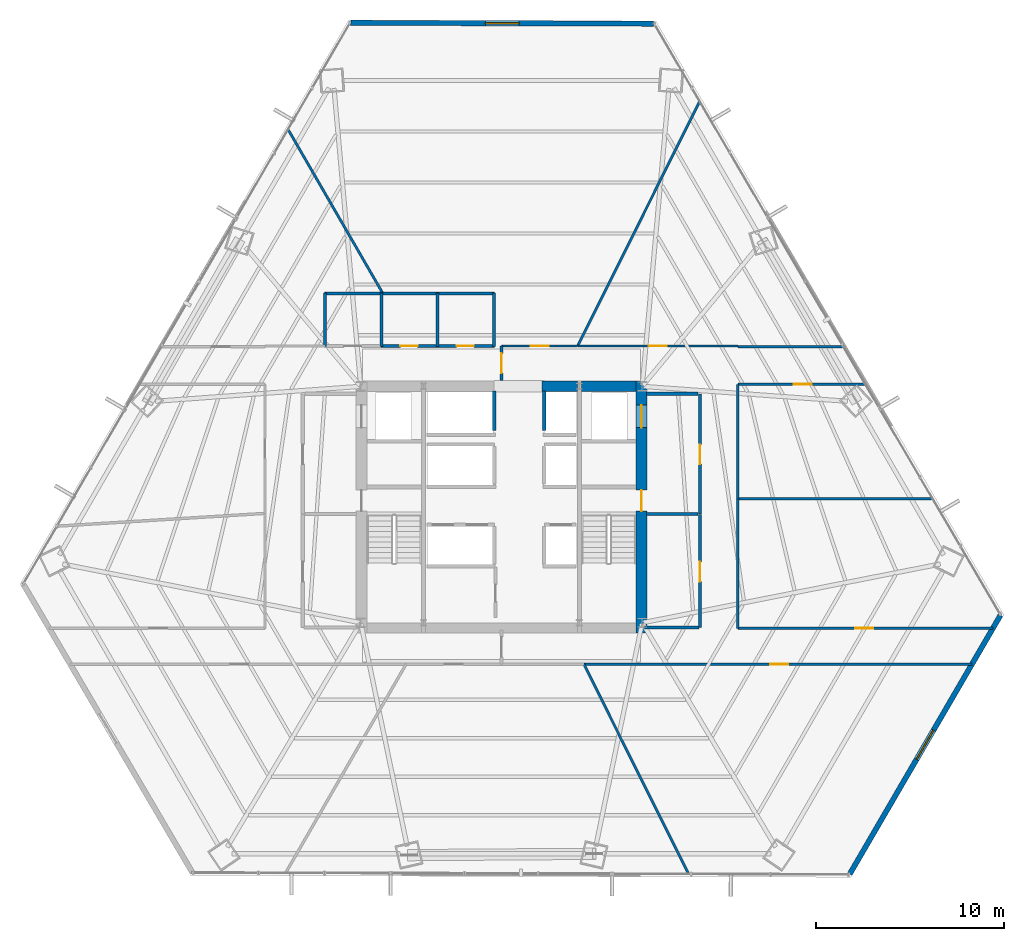
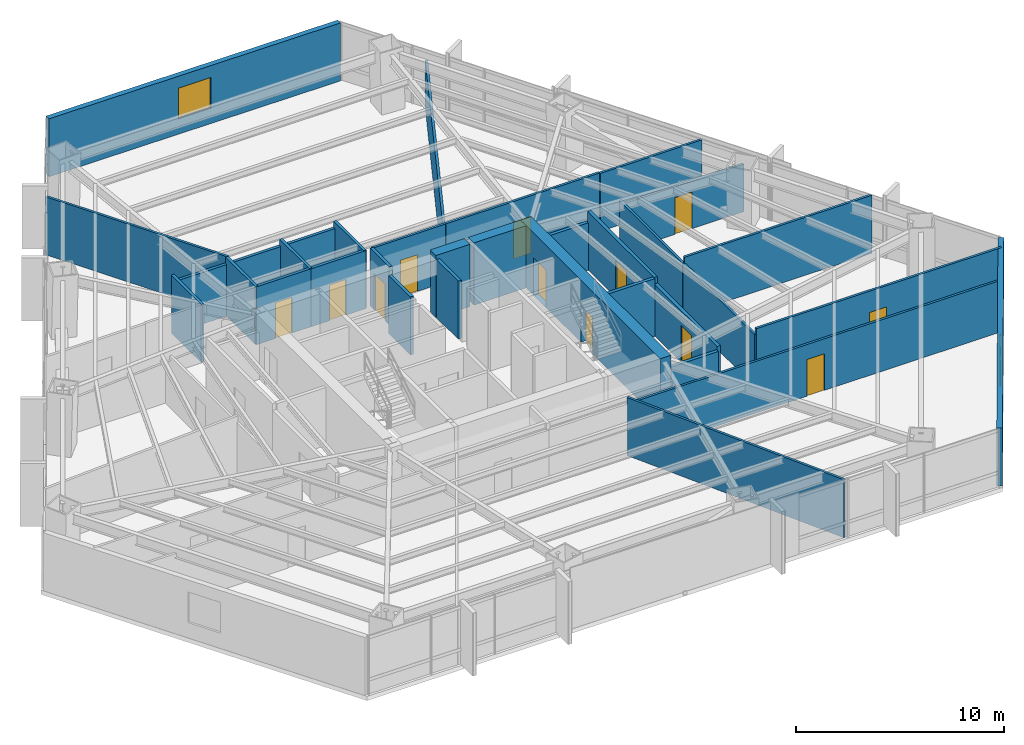
# One storey, part 29 of 33: 34 walls, 12 doors, 2 windows, 14 openings.
"""IFC4 building model written with IfcOpenShell, lengths in metres."""

from ifc_helpers import new_model, si_unit, direction, frame, frame_2d, origin, place, context, subcontext, project, spatial, rectangle, extrude, material, layer, layer_set, type_object, element, fill, save


model = new_model("IFC4")

# Units and contexts
model_context = context("Model", 3, precision=1e-05, world=origin(), true_north=direction((0.0, 1.0)))
body_context = subcontext(model_context, "Body", "Model", "MODEL_VIEW")
ifc_project = project(units=[si_unit("LENGTHUNIT", "METRE"), si_unit("AREAUNIT", "SQUARE_METRE"), si_unit("VOLUMEUNIT", "CUBIC_METRE"), si_unit("PLANEANGLEUNIT", "RADIAN"), si_unit("MASSUNIT", "GRAM", prefix="KILO")], contexts=[model_context])

# Site, building, storey
site_placement = place(None, origin())
site = spatial("IfcSite", under=ifc_project, at=site_placement, CompositionType="ELEMENT")
building_placement = place(site_placement, origin())
building = spatial("IfcBuilding", under=site, at=building_placement, Name="Caelisora Broadcast Tower", CompositionType="ELEMENT")
storey_placement = place(building_placement, frame((0.0, 0.0, 38.550048828125)))
storey = spatial("IfcBuildingStorey", under=building, at=storey_placement, Name="L09", CompositionType="ELEMENT", Elevation=38.550048828125)

# Wall, openings, doors
ifc_material_1 = material(Name="Concrete 65 MPa (AS 3600 S65)", Category="concrete")
ifc_layer_1 = layer(ifc_material_1, 0.60009765625, Name="Concrete 65 MPa (AS 3600 S65)")
ifc_layer_set_1 = layer_set([ifc_layer_1], Name="Concrete 65 MPa (AS 3600 S65)")
wall_type_1 = type_object("IfcWallType", Name="CW1", PredefinedType="SHEAR", material=ifc_layer_set_1)
wall_1_placement = place(storey_placement, frame((45.4599609375, 16.85009765625, 0.0), z_axis=(0.0, 0.0, 1.0), x_axis=(0.0, 1.0, 0.0)))
wall_1 = element("IfcWall", 1, at=wall_1_placement, inside=storey, type_object=wall_type_1, Name="L09 core shear wall CW1", PredefinedType="SHEAR", context=body_context, shape_type="SweptSolid", body=[
    extrude(rectangle(XDim=13.4248046875, YDim=0.60009765625, at=frame_2d((6.71240234375, 0.0))), origin(), (0.0, 0.0, 1.0), 3.64990234375),
])
opening_1_placement = place(wall_1_placement, frame((6.5, 0.0, 0.0)))
opening_1 = element("IfcOpeningElement", 2, at=opening_1_placement, cuts=wall_1, Name="Opening FD04", PredefinedType="OPENING", context=body_context, shape_type="SweptSolid", body=[
    extrude(rectangle(XDim=1.1201171875, YDim=2.14990234375, at=frame_2d((0.56005859375, 1.074951171875))), frame((0.0, 0.31201171875, 0.0), z_axis=(0.0, -1.0, 0.0), x_axis=(1.0, 0.0, 0.0)), (0.0, 0.0, 1.0), 0.6240234375),
])
opening_2_placement = place(wall_1_placement, frame((10.949951171875, 0.0, 0.0)))
opening_2 = element("IfcOpeningElement", 3, at=opening_2_placement, cuts=wall_1, Name="Opening LD04", PredefinedType="OPENING", context=body_context, shape_type="SweptSolid", body=[
    extrude(rectangle(XDim=1.199951171875, YDim=2.199951171875, at=frame_2d((0.60009765625, 1.10009765625))), frame((0.0, 0.31201171875, 0.0), z_axis=(0.0, -1.0, 0.0), x_axis=(1.0, 0.0, 0.0)), (0.0, 0.0, 1.0), 0.6240234375),
])
ifc_material_2 = material(Name="Pressurised Fire-Isolated Stair Door", Category="steel")
door_type_1 = type_object("IfcDoorType", Name="FD04", OperationType="NOTDEFINED", PredefinedType="DOOR", material=ifc_material_2)
door_1_placement = place(opening_1_placement, origin())
door_1 = element("IfcDoor", 4, at=door_1_placement, inside=storey, type_object=door_type_1, Name="L09 door FD04 (L09-DR-ST2)", OperationType="SINGLE_SWING_RIGHT", OverallHeight=2.14990234375, OverallWidth=1.1201171875, PredefinedType="DOOR", context=body_context, shape_type="SweptSolid", body=[
    extrude(rectangle(XDim=1.1201171875, YDim=2.14990234375, at=frame_2d((0.56005859375, 1.074951171875))), frame((0.0, 0.02490234375, 0.0), z_axis=(0.0, -1.0, 0.0), x_axis=(1.0, 0.0, 0.0)), (0.0, 0.0, 1.0), 0.050048828125),
])
fill(opening_1, door_1)
ifc_material_3 = material(Name="Emergency Firefighting Lift Sliding Landing Door", Category="steel")
door_type_2 = type_object("IfcDoorType", Name="LD04", OperationType="NOTDEFINED", PredefinedType="DOOR", material=ifc_material_3)
door_2_placement = place(opening_2_placement, origin())
door_2 = element("IfcDoor", 5, at=door_2_placement, inside=storey, type_object=door_type_2, Name="L09 door LD04 (L09-LD-FFL2)", OperationType="SLIDING_TO_RIGHT", OverallHeight=2.199951171875, OverallWidth=1.199951171875, PredefinedType="DOOR", context=body_context, shape_type="SweptSolid", body=[
    extrude(rectangle(XDim=1.199951171875, YDim=2.199951171875, at=frame_2d((0.60009765625, 1.10009765625))), frame((0.0, 0.02490234375, 0.0), z_axis=(0.0, -1.0, 0.0), x_axis=(1.0, 0.0, 0.0)), (0.0, 0.0, 1.0), 0.050048828125),
])
fill(opening_2, door_2)

# Walls
ifc_layer_2 = layer(ifc_material_1, 0.550048828125, Name="Concrete 65 MPa (AS 3600 S65)")
ifc_layer_set_2 = layer_set([ifc_layer_2], Name="Concrete 65 MPa (AS 3600 S65)")
wall_type_2 = type_object("IfcWallType", Name="CW4", PredefinedType="SHEAR", material=ifc_layer_set_2)
wall_2_placement = place(storey_placement, frame((40.159912109375, 30.0, 0.0), z_axis=(0.0, 0.0, 1.0), x_axis=(1.0, 0.0, 0.0)))
element("IfcWall", 6, at=wall_2_placement, inside=storey, type_object=wall_type_2, Name="L09 core shear wall CW4", PredefinedType="SHEAR", context=body_context, shape_type="SweptSolid", body=[
    extrude(rectangle(XDim=1.880126953125, YDim=0.550048828125, at=frame_2d((0.93994140625, 0.0))), origin(), (0.0, 0.0, 1.0), 3.64990234375),
])
wall_3_placement = place(storey_placement, frame((42.260009765625, 30.0, 0.0), z_axis=(0.0, 0.0, 1.0), x_axis=(1.0, 0.0, 0.0)))
element("IfcWall", 7, at=wall_3_placement, inside=storey, type_object=wall_type_2, Name="L09 core shear wall CW4", PredefinedType="SHEAR", context=body_context, shape_type="SweptSolid", body=[
    extrude(rectangle(XDim=2.89990234375, YDim=0.550048828125, at=frame_2d((1.449951171875, 0.0))), origin(), (0.0, 0.0, 1.0), 3.64990234375),
])

# Wall, opening, window
ifc_material_4 = material(Name="Insulated Terracotta Spandrel Wall System", Category="masonry")
ifc_layer_3 = layer(ifc_material_4, 0.280029296875, Name="Insulated Terracotta Spandrel Wall System")
ifc_layer_set_3 = layer_set([ifc_layer_3], Name="Insulated Terracotta Spandrel Wall System")
wall_type_3 = type_object("IfcWallType", Name="EW1", PredefinedType="STANDARD", material=ifc_layer_set_3)
wall_4_placement = place(storey_placement, frame((64.5888671875, 17.798095703125, 0.0), z_axis=(0.0, 0.0, 1.0), x_axis=(-0.503231520819, -0.864151628161, 0.0)))
wall_4 = element("IfcWall", 8, at=wall_4_placement, inside=storey, type_object=wall_type_3, Name="L09 exterior envelope wall EW1", PredefinedType="STANDARD", context=body_context, shape_type="SweptSolid", body=[
    extrude(rectangle(XDim=15.95458984375, YDim=0.280029296875, at=frame_2d((7.977294921875, 0.0))), origin(), (0.0, 0.0, 1.0), 3.39990234375),
])
opening_3_placement = place(wall_4_placement, frame((7.080078125, 0.0, 0.89990234375)))
opening_3 = element("IfcOpeningElement", 9, at=opening_3_placement, cuts=wall_4, Name="Opening W01", PredefinedType="OPENING", context=body_context, shape_type="SweptSolid", body=[
    extrude(rectangle(XDim=1.800048828125, YDim=1.800048828125, at=frame_2d((0.89990234375, 0.89990234375))), frame((0.0, 0.152099609375, 0.0), z_axis=(0.0, -1.0, 0.0), x_axis=(1.0, 0.0, 0.0)), (0.0, 0.0, 1.0), 0.303955078125),
])
ifc_material_5 = material(Name="Double Glazed Terracotta-Framed Vision Window", Category="glass")
window_type = type_object("IfcWindowType", Name="W01", PartitioningType="SINGLE_PANEL", PredefinedType="WINDOW", material=ifc_material_5)
window_1_placement = place(opening_3_placement, origin())
window_1 = element("IfcWindow", 10, at=window_1_placement, inside=storey, type_object=window_type, Name="L09 window W01 (L09-WN-CH0)", OverallHeight=1.800048828125, OverallWidth=1.800048828125, PartitioningType="SINGLE_PANEL", PredefinedType="WINDOW", context=body_context, shape_type="SweptSolid", body=[
    extrude(rectangle(XDim=1.800048828125, YDim=1.800048828125, at=frame_2d((0.89990234375, 0.89990234375))), frame((0.0, 0.030029296875, 0.0), z_axis=(0.0, -1.0, 0.0), x_axis=(1.0, 0.0, 0.0)), (0.0, 0.0, 1.0), 0.06005859375),
])
fill(opening_3, window_1)

wall_5_placement = place(storey_placement, frame((29.968017578125, 49.370849609375, 0.0), z_axis=(0.0, 0.0, 1.0), x_axis=(0.999996169722, -0.002767768218, 0.0)))
wall_5 = element("IfcWall", 11, at=wall_5_placement, inside=storey, type_object=wall_type_3, Name="L09 exterior envelope wall EW1", PredefinedType="STANDARD", context=body_context, shape_type="SweptSolid", body=[
    extrude(rectangle(XDim=16.14208984375, YDim=0.280029296875, at=frame_2d((8.071044921875, 0.0))), origin(), (0.0, 0.0, 1.0), 3.39990234375),
])
opening_4_placement = place(wall_5_placement, frame((7.169921875, 0.0, 0.89990234375)))
opening_4 = element("IfcOpeningElement", 12, at=opening_4_placement, cuts=wall_5, Name="Opening W01", PredefinedType="OPENING", context=body_context, shape_type="SweptSolid", body=[
    extrude(rectangle(XDim=1.800048828125, YDim=1.800048828125, at=frame_2d((0.89990234375, 0.89990234375))), frame((0.0, 0.152099609375, 0.0), z_axis=(0.0, -1.0, 0.0), x_axis=(1.0, 0.0, 0.0)), (0.0, 0.0, 1.0), 0.303955078125),
])
window_2_placement = place(opening_4_placement, origin())
window_2 = element("IfcWindow", 13, at=window_2_placement, inside=storey, type_object=window_type, Name="L09 window W01 (L09-WN-CH8)", OverallHeight=1.800048828125, OverallWidth=1.800048828125, PartitioningType="SINGLE_PANEL", PredefinedType="WINDOW", context=body_context, shape_type="SweptSolid", body=[
    extrude(rectangle(XDim=1.800048828125, YDim=1.800048828125, at=frame_2d((0.89990234375, 0.89990234375))), frame((0.0, 0.030029296875, 0.0), z_axis=(0.0, -1.0, 0.0), x_axis=(1.0, 0.0, 0.0)), (0.0, 0.0, 1.0), 0.06005859375),
])
fill(opening_4, window_2)

# Walls
ifc_material_6 = material(Name="Fire-Rated Gypsum Shaft and Compartment Wall", Category="gypsum")
ifc_layer_4 = layer(ifc_material_6, 0.179931640625, Name="Fire-Rated Gypsum Shaft and Compartment Wall")
ifc_layer_set_4 = layer_set([ifc_layer_4], Name="Fire-Rated Gypsum Shaft and Compartment Wall")
wall_type_4 = type_object("IfcWallType", Name="PW2", PredefinedType="PARTITIONING", material=ifc_layer_set_4)
for number, where, z_axis, x_axis, name in (
    (14, (37.6201171875, 27.639892578125, 0.0), (0.0, 0.0, 1.0), (0.0, 1.0, 0.0), "L09 fire compartment wall PW2"),
    (15, (40.280029296875, 27.639892578125, 0.0), (0.0, 0.0, 1.0), (0.0, 1.0, 0.0), "L09 fire compartment wall PW2"),
):
    element("IfcWall", number, at=place(storey_placement, frame(where, z_axis=z_axis, x_axis=x_axis)), inside=storey, type_object=wall_type_4, Name=name, PredefinedType="PARTITIONING", context=body_context, shape_type="SweptSolid", body=[
        extrude(rectangle(XDim=2.110107421875, YDim=0.179931640625, at=frame_2d((1.05517578125, 0.0))), origin(), (0.0, 0.0, 1.0), 3.39990234375),
    ])

# Wall, opening, door
wall_6_placement = place(storey_placement, frame((48.580078125, 23.199951171875, 0.0), z_axis=(0.0, 0.0, 1.0), x_axis=(0.0, 1.0, 0.0)))
wall_6 = element("IfcWall", 16, at=wall_6_placement, inside=storey, type_object=wall_type_4, Name="L09 fire compartment wall PW2", PredefinedType="PARTITIONING", context=body_context, shape_type="SweptSolid", body=[
    extrude(rectangle(XDim=6.400146484375, YDim=0.179931640625, at=frame_2d((3.2001953125, 0.0))), origin(), (0.0, 0.0, 1.0), 3.39990234375),
])
opening_5_placement = place(wall_6_placement, frame((2.64990234375, 0.0, 0.0)))
opening_5 = element("IfcOpeningElement", 17, at=opening_5_placement, cuts=wall_6, Name="Opening FD02", PredefinedType="OPENING", context=body_context, shape_type="SweptSolid", body=[
    extrude(rectangle(XDim=1.050048828125, YDim=2.14990234375, at=frame_2d((0.52490234375, 1.074951171875))), frame((0.0, 0.10205078125, 0.0), z_axis=(0.0, -1.0, 0.0), x_axis=(1.0, 0.0, 0.0)), (0.0, 0.0, 1.0), 0.203857421875),
])
ifc_material_7 = material(Name="Single-Leaf Steel Fire Lobby Door", Category="steel")
door_type_3 = type_object("IfcDoorType", Name="FD02", OperationType="NOTDEFINED", PredefinedType="DOOR", material=ifc_material_7)
door_3_placement = place(opening_5_placement, origin())
door_3 = element("IfcDoor", 18, at=door_3_placement, inside=storey, type_object=door_type_3, Name="L09 door FD02 (L09-DR-P04D1)", OperationType="SINGLE_SWING_RIGHT", OverallHeight=2.14990234375, OverallWidth=1.050048828125, PredefinedType="DOOR", context=body_context, shape_type="SweptSolid", body=[
    extrude(rectangle(XDim=1.050048828125, YDim=2.14990234375, at=frame_2d((0.52490234375, 1.074951171875))), frame((0.0, 0.02490234375, 0.0), z_axis=(0.0, -1.0, 0.0), x_axis=(1.0, 0.0, 0.0)), (0.0, 0.0, 1.0), 0.050048828125),
])
fill(opening_5, door_3)

# Walls
wall_7_placement = place(storey_placement, frame((45.719970703125, 23.199951171875, 0.0), z_axis=(0.0, 0.0, 1.0), x_axis=(1.0, 0.0, 0.0)))
element("IfcWall", 19, at=wall_7_placement, inside=storey, type_object=wall_type_4, Name="L09 fire compartment wall PW2", PredefinedType="PARTITIONING", context=body_context, shape_type="SweptSolid", body=[
    extrude(rectangle(XDim=2.760009765625, YDim=0.179931640625, at=frame_2d((1.3798828125, 0.0))), origin(), (0.0, 0.0, 1.0), 3.39990234375),
])
wall_8_placement = place(storey_placement, frame((45.719970703125, 29.60009765625, 0.0), z_axis=(0.0, 0.0, 1.0), x_axis=(1.0, 0.0, 0.0)))
element("IfcWall", 20, at=wall_8_placement, inside=storey, type_object=wall_type_4, Name="L09 fire compartment wall PW2", PredefinedType="PARTITIONING", context=body_context, shape_type="SweptSolid", body=[
    extrude(rectangle(XDim=2.760009765625, YDim=0.179931640625, at=frame_2d((1.3798828125, 0.0))), origin(), (0.0, 0.0, 1.0), 2.78271484375),
])

# Wall, opening, door
wall_9_placement = place(storey_placement, frame((48.580078125, 17.14990234375, 0.0), z_axis=(0.0, 0.0, 1.0), x_axis=(0.0, 1.0, 0.0)))
wall_9 = element("IfcWall", 21, at=wall_9_placement, inside=storey, type_object=wall_type_4, Name="L09 fire compartment wall PW2", PredefinedType="PARTITIONING", context=body_context, shape_type="SweptSolid", body=[
    extrude(rectangle(XDim=6.030029296875, YDim=0.179931640625, at=frame_2d((3.01513671875, 0.0))), origin(), (0.0, 0.0, 1.0), 3.0263671875),
])
opening_6_placement = place(wall_9_placement, frame((2.449951171875, 0.0, 0.0)))
opening_6 = element("IfcOpeningElement", 22, at=opening_6_placement, cuts=wall_9, Name="Opening FD02", PredefinedType="OPENING", context=body_context, shape_type="SweptSolid", body=[
    extrude(rectangle(XDim=1.050048828125, YDim=2.14990234375, at=frame_2d((0.52490234375, 1.074951171875))), frame((0.0, 0.10205078125, 0.0), z_axis=(0.0, -1.0, 0.0), x_axis=(1.0, 0.0, 0.0)), (0.0, 0.0, 1.0), 0.203857421875),
])
door_4_placement = place(opening_6_placement, origin())
door_4 = element("IfcDoor", 23, at=door_4_placement, inside=storey, type_object=door_type_3, Name="L09 door FD02 (L09-DR-P14D1)", OperationType="SINGLE_SWING_LEFT", OverallHeight=2.14990234375, OverallWidth=1.050048828125, PredefinedType="DOOR", context=body_context, shape_type="SweptSolid", body=[
    extrude(rectangle(XDim=1.050048828125, YDim=2.14990234375, at=frame_2d((0.52490234375, 1.074951171875))), frame((0.0, 0.02490234375, 0.0), z_axis=(0.0, -1.0, 0.0), x_axis=(1.0, 0.0, 0.0)), (0.0, 0.0, 1.0), 0.050048828125),
])
fill(opening_6, door_4)

# Wall
wall_10_placement = place(storey_placement, frame((45.6201171875, 17.14990234375, 0.0), z_axis=(0.0, 0.0, 1.0), x_axis=(1.0, 0.0, 0.0)))
element("IfcWall", 24, at=wall_10_placement, inside=storey, type_object=wall_type_4, Name="L09 fire compartment wall PW2", PredefinedType="PARTITIONING", context=body_context, shape_type="SweptSolid", body=[
    extrude(rectangle(XDim=2.89990234375, YDim=0.179931640625, at=frame_2d((1.449951171875, 0.0))), origin(), (0.0, 0.0, 1.0), 2.78271484375),
])

# Wall, opening, door
wall_11_placement = place(storey_placement, frame((38.0, 30.320068359375, 0.0), z_axis=(0.0, 0.0, 1.0), x_axis=(0.0, 1.0, 0.0)))
wall_11 = element("IfcWall", 25, at=wall_11_placement, inside=storey, type_object=wall_type_4, Name="L09 fire compartment wall PW2", PredefinedType="PARTITIONING", context=body_context, shape_type="SweptSolid", body=[
    extrude(rectangle(XDim=1.824951171875, YDim=0.179931640625, at=frame_2d((0.91259765625, 0.0))), origin(), (0.0, 0.0, 1.0), 3.39990234375),
])
opening_7_placement = place(wall_11_placement, frame((0.387939453125, 0.0, 0.0)))
opening_7 = element("IfcOpeningElement", 26, at=opening_7_placement, cuts=wall_11, Name="Opening FD02", PredefinedType="OPENING", context=body_context, shape_type="SweptSolid", body=[
    extrude(rectangle(XDim=1.050048828125, YDim=2.14990234375, at=frame_2d((0.52490234375, 1.074951171875))), frame((0.0, 0.10205078125, 0.0), z_axis=(0.0, -1.0, 0.0), x_axis=(1.0, 0.0, 0.0)), (0.0, 0.0, 1.0), 0.203857421875),
])
door_5_placement = place(opening_7_placement, origin())
door_5 = element("IfcDoor", 27, at=door_5_placement, inside=storey, type_object=door_type_3, Name="L09 door FD02 (L09-DR-P50D1)", OperationType="SINGLE_SWING_RIGHT", OverallHeight=2.14990234375, OverallWidth=1.050048828125, PredefinedType="DOOR", context=body_context, shape_type="SweptSolid", body=[
    extrude(rectangle(XDim=1.050048828125, YDim=2.14990234375, at=frame_2d((0.52490234375, 1.074951171875))), frame((0.0, 0.02490234375, 0.0), z_axis=(0.0, -1.0, 0.0), x_axis=(1.0, 0.0, 0.0)), (0.0, 0.0, 1.0), 0.050048828125),
])
fill(opening_7, door_5)

ifc_material_8 = material(Name="Acoustic Steel-Stud Plasterboard Partition", Category="gypsum")
ifc_layer_5 = layer(ifc_material_8, 0.1298828125, Name="Acoustic Steel-Stud Plasterboard Partition")
ifc_layer_set_5 = layer_set([ifc_layer_5], Name="Acoustic Steel-Stud Plasterboard Partition")
wall_type_5 = type_object("IfcWallType", Name="PW3", PredefinedType="PARTITIONING", material=ifc_layer_set_5)
wall_12_placement = place(storey_placement, frame((42.39501953125, 15.199951171875, 0.0), z_axis=(0.0, 0.0, 1.0), x_axis=(1.0, 0.0, 0.0)))
wall_12 = element("IfcWall", 28, at=wall_12_placement, inside=storey, type_object=wall_type_5, Name="L09 internal partition PW3", PredefinedType="PARTITIONING", context=body_context, shape_type="SweptSolid", body=[
    extrude(rectangle(XDim=20.68701171875, YDim=0.1298828125, at=frame_2d((10.343505859375, 0.0))), origin(), (0.0, 0.0, 1.0), 3.0263671875),
])
opening_8_placement = place(wall_12_placement, frame((9.9169921875, 0.0, 0.0)))
opening_8 = element("IfcOpeningElement", 29, at=opening_8_placement, cuts=wall_12, Name="Opening D01", PredefinedType="OPENING", context=body_context, shape_type="SweptSolid", body=[
    extrude(rectangle(XDim=0.9599609375, YDim=2.14990234375, at=frame_2d((0.47998046875, 1.074951171875))), frame((0.0, 0.076904296875, 0.0), z_axis=(0.0, -1.0, 0.0), x_axis=(1.0, 0.0, 0.0)), (0.0, 0.0, 1.0), 0.15380859375),
])
ifc_material_9 = material(Name="Solid-Core Timber Acoustic Office Door", Category="wood")
door_type_4 = type_object("IfcDoorType", Name="D01", OperationType="NOTDEFINED", PredefinedType="DOOR", material=ifc_material_9)
door_6_placement = place(opening_8_placement, origin())
door_6 = element("IfcDoor", 30, at=door_6_placement, inside=storey, type_object=door_type_4, Name="L09 door D01 (L09-DR-P26D1)", OperationType="SINGLE_SWING_LEFT", OverallHeight=2.14990234375, OverallWidth=0.9599609375, PredefinedType="DOOR", context=body_context, shape_type="SweptSolid", body=[
    extrude(rectangle(XDim=0.9599609375, YDim=2.14990234375, at=frame_2d((0.47998046875, 1.074951171875))), frame((0.0, 0.02490234375, 0.0), z_axis=(0.0, -1.0, 0.0), x_axis=(1.0, 0.0, 0.0)), (0.0, 0.0, 1.0), 0.050048828125),
])
fill(opening_8, door_6)

# Wall
wall_13_placement = place(storey_placement, frame((42.06201171875, 32.154052734375, 0.0), z_axis=(0.0, 0.0, 1.0), x_axis=(0.44639587065, 0.894835586388, 0.0)))
element("IfcWall", 31, at=wall_13_placement, inside=storey, type_object=wall_type_5, Name="L09 internal partition PW3", PredefinedType="PARTITIONING", context=body_context, shape_type="SweptSolid", body=[
    extrude(rectangle(XDim=14.572998046875, YDim=0.1298828125, at=frame_2d((7.28662109375, 0.0))), origin(), (0.0, 0.0, 1.0), 2.78271484375),
])

# Wall, opening, door
wall_14_placement = place(storey_placement, frame((64.188720703125, 17.10009765625, 0.0), z_axis=(0.0, 0.0, 1.0), x_axis=(-1.0, 0.0, 0.0)))
wall_14 = element("IfcWall", 32, at=wall_14_placement, inside=storey, type_object=wall_type_5, Name="L09 internal partition PW3", PredefinedType="PARTITIONING", context=body_context, shape_type="SweptSolid", body=[
    extrude(rectangle(XDim=13.583740234375, YDim=0.1298828125, at=frame_2d((6.7919921875, 0.0))), origin(), (0.0, 0.0, 1.0), 3.39990234375),
])
opening_9_placement = place(wall_14_placement, frame((6.366943359375, 0.0, 0.0)))
opening_9 = element("IfcOpeningElement", 33, at=opening_9_placement, cuts=wall_14, Name="Opening D01", PredefinedType="OPENING", context=body_context, shape_type="SweptSolid", body=[
    extrude(rectangle(XDim=0.9599609375, YDim=2.14990234375, at=frame_2d((0.47998046875, 1.074951171875))), frame((0.0, 0.076904296875, 0.0), z_axis=(0.0, -1.0, 0.0), x_axis=(1.0, 0.0, 0.0)), (0.0, 0.0, 1.0), 0.15380859375),
])
door_7_placement = place(opening_9_placement, origin())
door_7 = element("IfcDoor", 34, at=door_7_placement, inside=storey, type_object=door_type_4, Name="L09 door D01 (L09-DR-P29D1)", OperationType="SINGLE_SWING_LEFT", OverallHeight=2.14990234375, OverallWidth=0.9599609375, PredefinedType="DOOR", context=body_context, shape_type="SweptSolid", body=[
    extrude(rectangle(XDim=0.9599609375, YDim=2.14990234375, at=frame_2d((0.47998046875, 1.074951171875))), frame((0.0, 0.02490234375, 0.0), z_axis=(0.0, -1.0, 0.0), x_axis=(1.0, 0.0, 0.0)), (0.0, 0.0, 1.0), 0.050048828125),
])
fill(opening_9, door_7)

# Walls
wall_15_placement = place(storey_placement, frame((42.39208984375, 15.196044921875, 0.0), z_axis=(0.0, 0.0, 1.0), x_axis=(0.446260694334, -0.894903007422, 0.0)))
element("IfcWall", 35, at=wall_15_placement, inside=storey, type_object=wall_type_5, Name="L09 internal partition PW3", PredefinedType="PARTITIONING", context=body_context, shape_type="SweptSolid", body=[
    extrude(rectangle(XDim=12.50634765625, YDim=0.1298828125, at=frame_2d((6.253173828125, 0.0))), origin(), (0.0, 0.0, 1.0), 3.39990234375),
])
wall_16_placement = place(storey_placement, frame((50.60498046875, 24.0, 0.0), z_axis=(0.0, 0.0, 1.0), x_axis=(1.0, 0.0, 0.0)))
element("IfcWall", 36, at=wall_16_placement, inside=storey, type_object=wall_type_5, Name="L09 internal partition PW3", PredefinedType="PARTITIONING", context=body_context, shape_type="SweptSolid", body=[
    extrude(rectangle(XDim=10.385009765625, YDim=0.1298828125, at=frame_2d((5.1923828125, 0.0))), origin(), (0.0, 0.0, 1.0), 3.39990234375),
])
wall_17_placement = place(storey_placement, frame((26.625732421875, 43.693603515625, 0.0), z_axis=(0.0, 0.0, 1.0), x_axis=(0.50040976027, -0.865788699294, 0.0)))
element("IfcWall", 37, at=wall_17_placement, inside=storey, type_object=wall_type_5, Name="L09 internal partition PW3", PredefinedType="PARTITIONING", context=body_context, shape_type="SweptSolid", body=[
    extrude(rectangle(XDim=10.09423828125, YDim=0.1298828125, at=frame_2d((5.047119140625, 0.0))), origin(), (0.0, 0.0, 1.0), 3.39990234375),
])

# Wall, opening, door
wall_18_placement = place(storey_placement, frame((42.06494140625, 32.14990234375, 0.0), z_axis=(0.0, 0.0, 1.0), x_axis=(1.0, 0.0, 0.0)))
wall_18 = element("IfcWall", 38, at=wall_18_placement, inside=storey, type_object=wall_type_5, Name="L09 internal partition PW3", PredefinedType="PARTITIONING", context=body_context, shape_type="SweptSolid", body=[
    extrude(rectangle(XDim=8.530029296875, YDim=0.1298828125, at=frame_2d((4.26513671875, 0.0))), origin(), (0.0, 0.0, 1.0), 3.39990234375),
])
opening_10_placement = place(wall_18_placement, frame((3.784912109375, 0.0, 0.0)))
opening_10 = element("IfcOpeningElement", 39, at=opening_10_placement, cuts=wall_18, Name="Opening D01", PredefinedType="OPENING", context=body_context, shape_type="SweptSolid", body=[
    extrude(rectangle(XDim=0.9599609375, YDim=2.14990234375, at=frame_2d((0.47998046875, 1.074951171875))), frame((0.0, 0.076904296875, 0.0), z_axis=(0.0, -1.0, 0.0), x_axis=(1.0, 0.0, 0.0)), (0.0, 0.0, 1.0), 0.15380859375),
])
door_8_placement = place(opening_10_placement, origin())
door_8 = element("IfcDoor", 40, at=door_8_placement, inside=storey, type_object=door_type_4, Name="L09 door D01 (L09-DR-P36D1)", OperationType="SINGLE_SWING_LEFT", OverallHeight=2.14990234375, OverallWidth=0.9599609375, PredefinedType="DOOR", context=body_context, shape_type="SweptSolid", body=[
    extrude(rectangle(XDim=0.9599609375, YDim=2.14990234375, at=frame_2d((0.47998046875, 1.074951171875))), frame((0.0, 0.02490234375, 0.0), z_axis=(0.0, -1.0, 0.0), x_axis=(1.0, 0.0, 0.0)), (0.0, 0.0, 1.0), 0.050048828125),
])
fill(opening_10, door_8)

wall_19_placement = place(storey_placement, frame((50.60498046875, 30.10009765625, 0.0), z_axis=(0.0, 0.0, 1.0), x_axis=(1.0, 0.0, 0.0)))
wall_19 = element("IfcWall", 41, at=wall_19_placement, inside=storey, type_object=wall_type_5, Name="L09 internal partition PW3", PredefinedType="PARTITIONING", context=body_context, shape_type="SweptSolid", body=[
    extrude(rectangle(XDim=6.809814453125, YDim=0.1298828125, at=frame_2d((3.40478515625, 0.0))), origin(), (0.0, 0.0, 1.0), 2.78271484375),
])
opening_11_placement = place(wall_19_placement, frame((2.97802734375, 0.0, 0.0)))
opening_11 = element("IfcOpeningElement", 42, at=opening_11_placement, cuts=wall_19, Name="Opening D01", PredefinedType="OPENING", context=body_context, shape_type="SweptSolid", body=[
    extrude(rectangle(XDim=0.9599609375, YDim=2.14990234375, at=frame_2d((0.47998046875, 1.074951171875))), frame((0.0, 0.076904296875, 0.0), z_axis=(0.0, -1.0, 0.0), x_axis=(1.0, 0.0, 0.0)), (0.0, 0.0, 1.0), 0.15380859375),
])
door_9_placement = place(opening_11_placement, origin())
door_9 = element("IfcDoor", 43, at=door_9_placement, inside=storey, type_object=door_type_4, Name="L09 door D01 (L09-DR-P37D1)", OperationType="SINGLE_SWING_RIGHT", OverallHeight=2.14990234375, OverallWidth=0.9599609375, PredefinedType="DOOR", context=body_context, shape_type="SweptSolid", body=[
    extrude(rectangle(XDim=0.9599609375, YDim=2.14990234375, at=frame_2d((0.47998046875, 1.074951171875))), frame((0.0, 0.02490234375, 0.0), z_axis=(0.0, -1.0, 0.0), x_axis=(1.0, 0.0, 0.0)), (0.0, 0.0, 1.0), 0.050048828125),
])
fill(opening_11, door_9)

# Walls
wall_20_placement = place(storey_placement, frame((50.60009765625, 17.10498046875, 0.0), z_axis=(0.0, 0.0, 1.0), x_axis=(0.0, 1.0, 0.0)))
element("IfcWall", 44, at=wall_20_placement, inside=storey, type_object=wall_type_5, Name="L09 internal partition PW3", PredefinedType="PARTITIONING", context=body_context, shape_type="SweptSolid", body=[
    extrude(rectangle(XDim=6.89013671875, YDim=0.1298828125, at=frame_2d((3.445068359375, 0.0))), origin(), (0.0, 0.0, 1.0), 3.0263671875),
])
wall_21_placement = place(storey_placement, frame((50.60009765625, 24.0048828125, 0.0), z_axis=(0.0, 0.0, 1.0), x_axis=(0.0, 1.0, 0.0)))
element("IfcWall", 45, at=wall_21_placement, inside=storey, type_object=wall_type_5, Name="L09 internal partition PW3", PredefinedType="PARTITIONING", context=body_context, shape_type="SweptSolid", body=[
    extrude(rectangle(XDim=6.090087890625, YDim=0.1298828125, at=frame_2d((3.044921875, 0.0))), origin(), (0.0, 0.0, 1.0), 3.0263671875),
])
wall_22_placement = place(storey_placement, frame((50.60498046875, 32.10009765625, 0.0), z_axis=(0.0, 0.0, 1.0), x_axis=(1.0, 0.0, 0.0)))
element("IfcWall", 46, at=wall_22_placement, inside=storey, type_object=wall_type_5, Name="L09 internal partition PW3", PredefinedType="PARTITIONING", context=body_context, shape_type="SweptSolid", body=[
    extrude(rectangle(XDim=5.637451171875, YDim=0.1298828125, at=frame_2d((2.81884765625, 0.0))), origin(), (0.0, 0.0, 1.0), 3.39990234375),
])

# Wall, opening, door
wall_23_placement = place(storey_placement, frame((38.0048828125, 32.14990234375, 0.0), z_axis=(0.0, 0.0, 1.0), x_axis=(1.0, 0.0, 0.0)))
wall_23 = element("IfcWall", 47, at=wall_23_placement, inside=storey, type_object=wall_type_5, Name="L09 internal partition PW3", PredefinedType="PARTITIONING", context=body_context, shape_type="SweptSolid", body=[
    extrude(rectangle(XDim=4.050048828125, YDim=0.1298828125, at=frame_2d((2.02490234375, 0.0))), origin(), (0.0, 0.0, 1.0), 3.39990234375),
])
opening_12_placement = place(wall_23_placement, frame((1.544921875, 0.0, 0.0)))
opening_12 = element("IfcOpeningElement", 48, at=opening_12_placement, cuts=wall_23, Name="Opening D01", PredefinedType="OPENING", context=body_context, shape_type="SweptSolid", body=[
    extrude(rectangle(XDim=0.9599609375, YDim=2.14990234375, at=frame_2d((0.47998046875, 1.074951171875))), frame((0.0, 0.076904296875, 0.0), z_axis=(0.0, -1.0, 0.0), x_axis=(1.0, 0.0, 0.0)), (0.0, 0.0, 1.0), 0.15380859375),
])
door_10_placement = place(opening_12_placement, origin())
door_10 = element("IfcDoor", 49, at=door_10_placement, inside=storey, type_object=door_type_4, Name="L09 door D01 (L09-DR-P47D1)", OperationType="SINGLE_SWING_RIGHT", OverallHeight=2.14990234375, OverallWidth=0.9599609375, PredefinedType="DOOR", context=body_context, shape_type="SweptSolid", body=[
    extrude(rectangle(XDim=0.9599609375, YDim=2.14990234375, at=frame_2d((0.47998046875, 1.074951171875))), frame((0.0, 0.02490234375, 0.0), z_axis=(0.0, -1.0, 0.0), x_axis=(1.0, 0.0, 0.0)), (0.0, 0.0, 1.0), 0.050048828125),
])
fill(opening_12, door_10)

ifc_material_10 = material(Name="Moisture-Resistant Wet Plumbing Service Wall", Category="gypsum")
ifc_layer_6 = layer(ifc_material_10, 0.159912109375, Name="Moisture-Resistant Wet Plumbing Service Wall")
ifc_layer_set_6 = layer_set([ifc_layer_6], Name="Moisture-Resistant Wet Plumbing Service Wall")
wall_type_6 = type_object("IfcWallType", Name="PW4", PredefinedType="PLUMBINGWALL", material=ifc_layer_set_6)
wall_24_placement = place(storey_placement, frame((31.574951171875, 32.14990234375, 0.0), z_axis=(0.0, 0.0, 1.0), x_axis=(1.0, 0.0, 0.0)))
wall_24 = element("IfcWall", 50, at=wall_24_placement, inside=storey, type_object=wall_type_6, Name="L09 wet plumbing wall PW4", PredefinedType="PLUMBINGWALL", context=body_context, shape_type="SweptSolid", body=[
    extrude(rectangle(XDim=3.050048828125, YDim=0.159912109375, at=frame_2d((1.52490234375, 0.0))), origin(), (0.0, 0.0, 1.0), 3.39990234375),
])
opening_13_placement = place(wall_24_placement, frame((1.034912109375, 0.0, 0.0)))
opening_13 = element("IfcOpeningElement", 51, at=opening_13_placement, cuts=wall_24, Name="Opening D03", PredefinedType="OPENING", context=body_context, shape_type="SweptSolid", body=[
    extrude(rectangle(XDim=0.919921875, YDim=2.10009765625, at=frame_2d((0.4599609375, 1.050048828125))), frame((0.0, 0.092041015625, 0.0), z_axis=(0.0, -1.0, 0.0), x_axis=(1.0, 0.0, 0.0)), (0.0, 0.0, 1.0), 0.183837890625),
])
ifc_material_11 = material(Name="Laminate Moisture-Resistant Amenity WC Door", Category="wood")
door_type_5 = type_object("IfcDoorType", Name="D03", OperationType="NOTDEFINED", PredefinedType="DOOR", material=ifc_material_11)
door_11_placement = place(opening_13_placement, origin())
door_11 = element("IfcDoor", 52, at=door_11_placement, inside=storey, type_object=door_type_5, Name="L09 door D03 (L09-DR-P17D1)", OperationType="SINGLE_SWING_LEFT", OverallHeight=2.10009765625, OverallWidth=0.919921875, PredefinedType="DOOR", context=body_context, shape_type="SweptSolid", body=[
    extrude(rectangle(XDim=0.919921875, YDim=2.10009765625, at=frame_2d((0.4599609375, 1.050048828125))), frame((0.0, 0.02490234375, 0.0), z_axis=(0.0, -1.0, 0.0), x_axis=(1.0, 0.0, 0.0)), (0.0, 0.0, 1.0), 0.050048828125),
])
fill(opening_13, door_11)

wall_25_placement = place(storey_placement, frame((34.574951171875, 32.14990234375, 0.0), z_axis=(0.0, 0.0, 1.0), x_axis=(1.0, 0.0, 0.0)))
wall_25 = element("IfcWall", 53, at=wall_25_placement, inside=storey, type_object=wall_type_6, Name="L09 wet plumbing wall PW4", PredefinedType="PLUMBINGWALL", context=body_context, shape_type="SweptSolid", body=[
    extrude(rectangle(XDim=3.050048828125, YDim=0.159912109375, at=frame_2d((1.52490234375, 0.0))), origin(), (0.0, 0.0, 1.0), 3.39990234375),
])
opening_14_placement = place(wall_25_placement, frame((1.034912109375, 0.0, 0.0)))
opening_14 = element("IfcOpeningElement", 54, at=opening_14_placement, cuts=wall_25, Name="Opening D03", PredefinedType="OPENING", context=body_context, shape_type="SweptSolid", body=[
    extrude(rectangle(XDim=0.919921875, YDim=2.10009765625, at=frame_2d((0.4599609375, 1.050048828125))), frame((0.0, 0.092041015625, 0.0), z_axis=(0.0, -1.0, 0.0), x_axis=(1.0, 0.0, 0.0)), (0.0, 0.0, 1.0), 0.183837890625),
])
door_12_placement = place(opening_14_placement, origin())
door_12 = element("IfcDoor", 55, at=door_12_placement, inside=storey, type_object=door_type_5, Name="L09 door D03 (L09-DR-P18D1)", OperationType="SINGLE_SWING_RIGHT", OverallHeight=2.10009765625, OverallWidth=0.919921875, PredefinedType="DOOR", context=body_context, shape_type="SweptSolid", body=[
    extrude(rectangle(XDim=0.919921875, YDim=2.10009765625, at=frame_2d((0.4599609375, 1.050048828125))), frame((0.0, 0.02490234375, 0.0), z_axis=(0.0, -1.0, 0.0), x_axis=(1.0, 0.0, 0.0)), (0.0, 0.0, 1.0), 0.050048828125),
])
fill(opening_14, door_12)

# Walls
for number, where, z_axis, x_axis, name in (
    (56, (28.574951171875, 34.949951171875, 0.0), (0.0, 0.0, 1.0), (1.0, 0.0, 0.0), "L09 wet plumbing wall PW4"),
    (57, (37.625, 34.949951171875, 0.0), (0.0, 0.0, 1.0), (-1.0, 0.0, 0.0), "L09 wet plumbing wall PW4"),
):
    element("IfcWall", number, at=place(storey_placement, frame(where, z_axis=z_axis, x_axis=x_axis)), inside=storey, type_object=wall_type_6, Name=name, PredefinedType="PLUMBINGWALL", context=body_context, shape_type="SweptSolid", body=[
        extrude(rectangle(XDim=3.050048828125, YDim=0.159912109375, at=frame_2d((1.52490234375, 0.0))), origin(), (0.0, 0.0, 1.0), 3.0263671875),
    ])
wall_26_placement = place(storey_placement, frame((31.655029296875, 34.949951171875, 0.0), z_axis=(0.0, 0.0, 1.0), x_axis=(1.0, 0.0, 0.0)))
element("IfcWall", 58, at=wall_26_placement, inside=storey, type_object=wall_type_6, Name="L09 wet plumbing wall PW4", PredefinedType="PLUMBINGWALL", context=body_context, shape_type="SweptSolid", body=[
    extrude(rectangle(XDim=2.969970703125, YDim=0.159912109375, at=frame_2d((1.48486328125, 0.0))), origin(), (0.0, 0.0, 1.0), 3.0263671875),
])
for number, where, z_axis, x_axis, name in (
    (59, (31.60009765625, 32.125, 0.0), (0.0, 0.0, 1.0), (0.0, 1.0, 0.0), "L09 wet plumbing wall PW4"),
    (60, (28.60009765625, 32.125, 0.0), (0.0, 0.0, 1.0), (0.0, 1.0, 0.0), "L09 wet plumbing wall PW4"),
    (61, (34.60009765625, 32.125, 0.0), (0.0, 0.0, 1.0), (0.0, 1.0, 0.0), "L09 wet plumbing wall PW4"),
    (62, (37.60009765625, 32.125, 0.0), (0.0, 0.0, 1.0), (0.0, 1.0, 0.0), "L09 wet plumbing wall PW4"),
):
    element("IfcWall", number, at=place(storey_placement, frame(where, z_axis=z_axis, x_axis=x_axis)), inside=storey, type_object=wall_type_6, Name=name, PredefinedType="PLUMBINGWALL", context=body_context, shape_type="SweptSolid", body=[
        extrude(rectangle(XDim=2.85009765625, YDim=0.159912109375, at=frame_2d((1.425048828125, 0.0))), origin(), (0.0, 0.0, 1.0), 3.39990234375),
    ])

save(model, "model.ifc")
